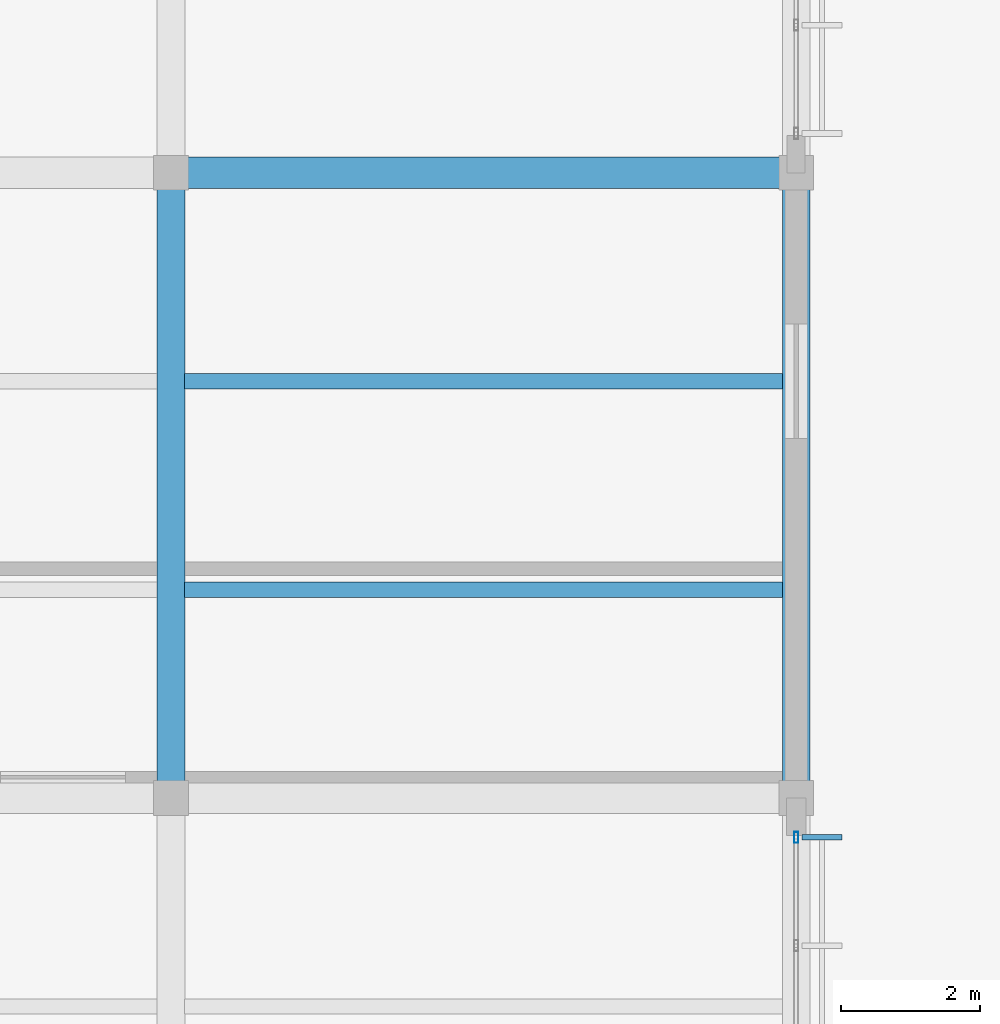
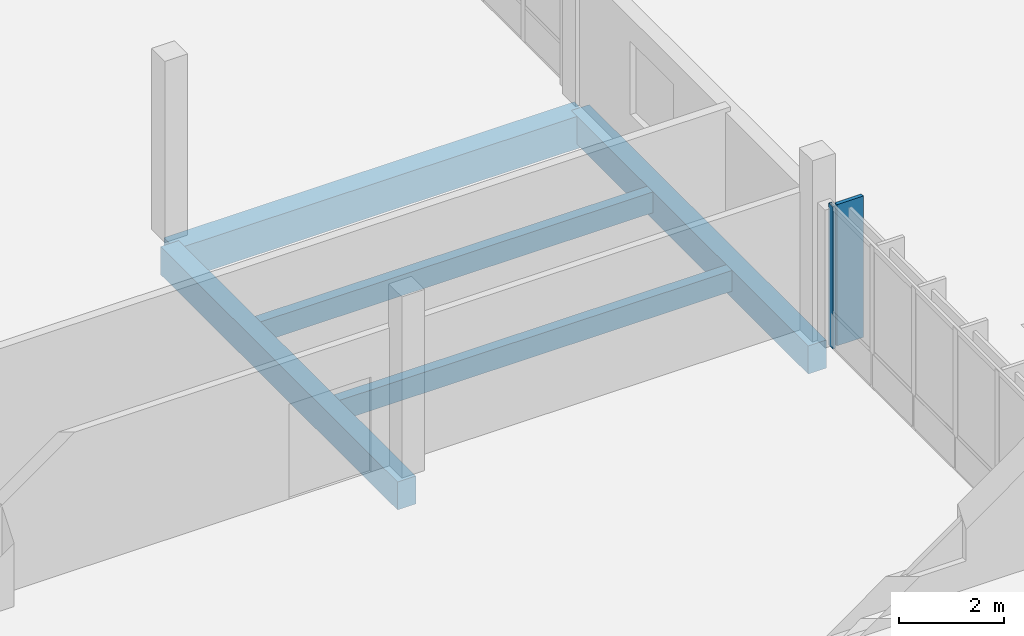
# One storey, part 60 of 107: 5 beams, 2 members, 1 element without a shape of its own.
"""IFC4 building model written with IfcOpenShell, lengths in metres."""

import ifcopenshell
import ifcopenshell.guid

model = None  # the IFC model being written
_history = None  # IfcOwnerHistory: only IFC2X3 demands one
_inside = {}  # id of a spatial element -> (the spatial element, [elements in it])
_under = {}  # id of a project, library or spatial element -> (it, [spatial elements below it])
_declared = {}  # id of a project -> (the project, [libraries it declares])
_typed = {}  # id of a type object -> (the type object, [elements of that type])
_made_of = {}  # id of a material, layer set ... -> (it, [elements and type objects made of it])


def new_model(schema):
    """Start an empty IFC model of exactly this schema.

    Asked for "IFC4X3", IfcOpenShell would pick the latest addendum, in which some entities
    have other attributes; the version numbers below select the first issue.
    IFC2X3 requires an IfcOwnerHistory on every rooted entity: one is made here for all.
    """
    global model, _history
    if schema == "IFC4X3":
        model = ifcopenshell.file(schema_version=(4, 3, 0, 0))
    else:
        model = ifcopenshell.file(schema=schema)
    _inside.clear()
    _under.clear()
    _declared.clear()
    _typed.clear()
    _made_of.clear()
    _history = None
    if model.schema == "IFC2X3":
        org = make("IfcOrganization", Name="unknown")
        user = make(
            "IfcPersonAndOrganization",
            ThePerson=make("IfcPerson", FamilyName="unknown"),
            TheOrganization=org,
        )
        app = make(
            "IfcApplication",
            ApplicationDeveloper=org,
            Version="unknown",
            ApplicationFullName="unknown",
            ApplicationIdentifier="unknown",
        )
        _history = make(
            "IfcOwnerHistory",
            OwningUser=user,
            OwningApplication=app,
            ChangeAction="ADDED",
            CreationDate=0,
        )
    return model


def make(cls, **values):
    """One entity of the class cls with the attributes given. An attribute that is None is left unset."""
    return model.create_entity(
        cls, **{name: value for name, value in values.items() if value is not None}
    )


def rooted(cls, **values):
    """An entity with a GlobalId (a new one), such as an element, a storey or a relation."""
    return make(cls, GlobalId=ifcopenshell.guid.new(), OwnerHistory=_history, **values)


def si_unit(unit_type, name, prefix=None):
    """IfcSIUnit, for example si_unit("LENGTHUNIT", "METRE", prefix="MILLI")."""
    return make("IfcSIUnit", UnitType=unit_type, Prefix=prefix, Name=name)


def assignment(units):
    """IfcUnitAssignment: the units of a project."""
    return None if units is None else make("IfcUnitAssignment", Units=units)


def point(xyz):
    """IfcCartesianPoint."""
    return None if xyz is None else make("IfcCartesianPoint", Coordinates=xyz)


def direction(xyz):
    """IfcDirection."""
    return None if xyz is None else make("IfcDirection", DirectionRatios=xyz)


def frame(location, z_axis=None, x_axis=None):
    """IfcAxis2Placement3D, a coordinate frame: its origin and axes. An axis left out is left unset."""
    return make(
        "IfcAxis2Placement3D",
        Location=point(location),
        Axis=direction(z_axis),
        RefDirection=direction(x_axis),
    )


def frame_2d(location, x_axis=None):
    """IfcAxis2Placement2D, a coordinate frame in the plane: its origin and x axis."""
    return make(
        "IfcAxis2Placement2D", Location=point(location), RefDirection=direction(x_axis)
    )


def origin():
    """The frame at (0, 0, 0) with its axes left unset."""
    return frame((0.0, 0.0, 0.0))


def origin_2d():
    """The frame at (0, 0) in the plane with its x axis left unset."""
    return frame_2d((0.0, 0.0))


def place(relative_to, where):
    """IfcLocalPlacement: puts the frame where relative to a parent placement (None: the world)."""
    return make(
        "IfcLocalPlacement", PlacementRelTo=relative_to, RelativePlacement=where
    )


def context(
    kind, dimensions, precision=None, world=None, true_north=None, identifier=None
):
    """IfcGeometricRepresentationContext, for example the 3D "Model" context."""
    return make(
        "IfcGeometricRepresentationContext",
        ContextIdentifier=identifier,
        ContextType=kind,
        CoordinateSpaceDimension=dimensions,
        Precision=precision,
        WorldCoordinateSystem=world,
        TrueNorth=true_north,
    )


def subcontext(parent, identifier, kind, view, scale=None):
    """IfcGeometricRepresentationSubContext, for example "Body" below "Model"."""
    return make(
        "IfcGeometricRepresentationSubContext",
        ContextIdentifier=identifier,
        ContextType=kind,
        ParentContext=parent,
        TargetScale=scale,
        TargetView=view,
    )


def project(units=None, contexts=None):
    """IfcProject with its units and contexts."""
    return rooted(
        "IfcProject",
        Name="project",
        RepresentationContexts=contexts,
        UnitsInContext=assignment(units),
    )


def spatial(cls, under=None, at=None, **own):
    """A site, building, storey or space (cls), placed at a placement, below another one or the project."""
    s = rooted(cls, ObjectPlacement=at, **own)
    if under is not None:
        _under.setdefault(under.id(), (under, []))[1].append(s)
    return s


def profile(cls, at=None, kind="AREA", **sizes):
    """A parametric profile (cls). Its sizes go by their IFC names, for example OverallWidth=200.0."""
    return make(cls, ProfileType=kind, Position=at, **sizes)


def rectangle(**sizes):
    """IfcRectangleProfileDef."""
    return profile("IfcRectangleProfileDef", **sizes)


def hollow_rectangle(**sizes):
    """IfcRectangleHollowProfileDef."""
    return profile("IfcRectangleHollowProfileDef", **sizes)


def extrude(swept, where, along, depth):
    """IfcExtrudedAreaSolid: the profile swept, set in the frame where, extruded along a direction by depth."""
    return make(
        "IfcExtrudedAreaSolid",
        SweptArea=swept,
        Position=where,
        ExtrudedDirection=direction(along),
        Depth=depth,
    )


def shape(context_of_items, identifier, shape_type, items):
    """IfcShapeRepresentation: the items that make up one representation, for example the "Body"."""
    return make(
        "IfcShapeRepresentation",
        ContextOfItems=context_of_items,
        RepresentationIdentifier=identifier,
        RepresentationType=shape_type,
        Items=items,
    )


def material(Name=None, Category=None):
    """IfcMaterial."""
    return make("IfcMaterial", Name=Name, Category=Category)


def material_profile(
    of_material, cross_section, Name=None, Category=None, Priority=None
):
    """IfcMaterialProfile: a cross section and its material."""
    return make(
        "IfcMaterialProfile",
        Name=Name,
        Material=of_material,
        Profile=cross_section,
        Priority=Priority,
        Category=Category,
    )


def profile_set(profiles, Name=None, composite=None):
    """IfcMaterialProfileSet."""
    return make(
        "IfcMaterialProfileSet",
        Name=Name,
        MaterialProfiles=profiles,
        CompositeProfile=composite,
    )


def made_of(thing, what):
    """Note that an element or type object is made of a material, layer set ...; save() writes the relation."""
    if what is not None:
        _made_of.setdefault(what.id(), (what, []))[1].append(thing)
    return thing


def type_object(cls, material=None, **own):
    """A type object (cls), such as IfcWallType, which elements share."""
    return made_of(rooted(cls, **own), material)


def element(
    cls,
    number,
    at=None,
    inside=None,
    cuts=None,
    type_object=None,
    material=None,
    context=None,
    identifier="Body",
    shape_type=None,
    held_by="IfcProductDefinitionShape",
    body=None,
    shapes=None,
    **own,
):
    """One element of the class cls, such as IfcWall. Its Tag is "e" and its number.

    at: its placement. inside: the storey or other place that contains it. cuts: it is an
    opening in that element (IfcRelVoidsElement). A single representation is given by context,
    identifier, shape_type and body (its items); several are given by shapes. held_by: the class
    of the entity that holds the representations. save() writes the other relations.
    """
    e = rooted(cls, Tag="e%d" % number, ObjectPlacement=at, **own)
    if body is not None:
        shapes = [shape(context, identifier, shape_type, body)]
    if shapes is not None:
        e.Representation = make(held_by, Representations=shapes)
    if inside is not None:
        _inside.setdefault(inside.id(), (inside, []))[1].append(e)
    if cuts is not None:
        rooted(
            "IfcRelVoidsElement", RelatingBuildingElement=cuts, RelatedOpeningElement=e
        )
    if type_object is not None:
        _typed.setdefault(type_object.id(), (type_object, []))[1].append(e)
    return made_of(e, material)


def aggregate(whole, parts):
    """IfcRelAggregates: a whole, such as a stair, and the parts it consists of."""
    return rooted("IfcRelAggregates", RelatingObject=whole, RelatedObjects=parts)


def save(model, path):
    """Write the relations noted so far, then the file.

    IfcRelAggregates (storeys below a building ...), IfcRelContainedInSpatialStructure (elements
    in a storey), IfcRelDefinesByType, IfcRelAssociatesMaterial and IfcRelDeclares: one each for
    every whole, place, type object, material and project.
    """
    for whole, parts in _under.values():
        aggregate(whole, parts)
    for where, things in _inside.values():
        rooted(
            "IfcRelContainedInSpatialStructure",
            RelatedElements=things,
            RelatingStructure=where,
        )
    for kind, things in _typed.values():
        rooted("IfcRelDefinesByType", RelatedObjects=things, RelatingType=kind)
    for what, things in _made_of.values():
        rooted("IfcRelAssociatesMaterial", RelatedObjects=things, RelatingMaterial=what)
    for by, libraries in _declared.values():
        rooted("IfcRelDeclares", RelatingContext=by, RelatedDefinitions=libraries)
    model.write(path)


model = new_model("IFC4")

# Units and contexts
model_context = context("Model", 3, precision=1e-05, world=origin(), true_north=direction((0.0, 1.0)))
body_context = subcontext(model_context, "Body", "Model", "MODEL_VIEW")
ifc_project = project(units=[si_unit("LENGTHUNIT", "METRE"), si_unit("AREAUNIT", "SQUARE_METRE"), si_unit("VOLUMEUNIT", "CUBIC_METRE"), si_unit("PLANEANGLEUNIT", "RADIAN"), si_unit("MASSUNIT", "GRAM", prefix="KILO")], contexts=[model_context])

# Site, building, storey
site_placement = place(None, origin())
site = spatial("IfcSite", under=ifc_project, at=site_placement, CompositionType="ELEMENT")
building_placement = place(site_placement, origin())
building = spatial("IfcBuilding", under=site, at=building_placement, Name="Chiffa Square Polytechnic", CompositionType="ELEMENT")
storey_placement = place(building_placement, frame((0.0, 0.0, 13.800048828125)))
storey = spatial("IfcBuildingStorey", under=building, at=storey_placement, Name="L03", CompositionType="ELEMENT", Elevation=13.800048828125)

# Beams
ifc_material_1 = material(Name="Concrete C35/45", Category="concrete")
ifc_material_profile_1 = material_profile(ifc_material_1, rectangle(XDim=0.39990234375, YDim=0.64990234375, at=origin_2d()), Name="RC 400x650")
ifc_profile_set_1 = profile_set([ifc_material_profile_1], Name="Concrete C35/45")
beam_type_1 = type_object("IfcBeamType", Name="BM-RC-400X650", PredefinedType="BEAM", material=ifc_profile_set_1)
for number, where, z_axis, x_axis, name in (
    (1, (130.199951171875, 112.800048828125, -0.5849609375), (0.0, 1.0, 0.0), (-1.0, 0.0, 0.0), "Primary floor girder BM-V5-L03-Y-1302-1128"),
    (2, (139.199951171875, 112.800048828125, -0.5849609375), (0.0, 1.0, 0.0), (-1.0, 0.0, 0.0), "Primary floor girder BM-V5-L03-Y-1392-1128"),
):
    element("IfcBeam", number, at=place(storey_placement, frame(where, z_axis=z_axis, x_axis=x_axis)), inside=storey, type_object=beam_type_1, Name=name, PredefinedType="BEAM", context=body_context, shape_type="SweptSolid", body=[
        extrude(rectangle(XDim=0.39990234375, YDim=0.64990234375, at=origin_2d()), origin(), (0.0, 0.0, 1.0), 9.0),
    ])
ifc_material_profile_2 = material_profile(ifc_material_1, rectangle(XDim=0.449951171875, YDim=0.75, at=origin_2d()), Name="RC 450x750")
ifc_profile_set_2 = profile_set([ifc_material_profile_2], Name="Concrete C35/45")
beam_type_2 = type_object("IfcBeamType", Name="BM-RC-450X750", PredefinedType="BEAM", material=ifc_profile_set_2)
beam_placement = place(storey_placement, frame((130.199951171875, 121.800048828125, -0.635009765625), z_axis=(1.0, 0.0, 0.0), x_axis=(0.0, 1.0, 0.0)))
element("IfcBeam", 3, at=beam_placement, inside=storey, type_object=beam_type_2, Name="Primary floor girder BM-V5-L03-X-1302-1218", PredefinedType="BEAM", context=body_context, shape_type="SweptSolid", body=[
    extrude(rectangle(XDim=0.449951171875, YDim=0.75, at=origin_2d()), origin(), (0.0, 0.0, 1.0), 9.0),
])

# Curtain wall, members
ifc_material_2 = material(Name="Aluminium EN AW-6060 T66 and glulam shading", Category="wood")
curtain_wall_type = type_object("IfcCurtainWallType", Name="CW-VERT-360X380", PredefinedType="USERDEFINED", material=ifc_material_2)
curtain_wall_placement = place(storey_placement, origin())
curtain_wall = element("IfcCurtainWall", 4, at=curtain_wall_placement, inside=storey, type_object=curtain_wall_type, Name="Curtain wall CW-V5-L03-229", ObjectType="CURTAIN WALL", PredefinedType="USERDEFINED")
ifc_material_3 = material(Name="Aluminium EN AW-6060 T66", Category="aluminium")
ifc_material_profile_3 = material_profile(ifc_material_3, hollow_rectangle(XDim=0.06005859375, YDim=0.159912109375, WallThickness=0.00390625, at=origin_2d()), Name="ALU 60x160x4")
ifc_profile_set_3 = profile_set([ifc_material_profile_3], Name="Aluminium EN AW-6060 T66")
member_type_1 = type_object("IfcMemberType", Name="CWM-ALU-65X150", PredefinedType="MULLION", material=ifc_profile_set_3)
member_1_placement = place(storey_placement, frame((139.199951171875, 112.235107421875, 0.0), z_axis=(0.0, 0.0, 1.0), x_axis=(1.0, 0.0, 0.0)))
member_1 = element("IfcMember", 5, at=member_1_placement, type_object=member_type_1, Name="Curtain wall mullion CW-V5-L03-229-M05", PredefinedType="MULLION", context=body_context, shape_type="SweptSolid", body=[
    extrude(hollow_rectangle(XDim=0.06005859375, YDim=0.159912109375, WallThickness=0.00390625, at=origin_2d()), origin(), (0.0, 0.0, 1.0), 3.294921875),
])
ifc_material_4 = material(Name="Glulam GL28h", Category="wood")
ifc_material_profile_4 = material_profile(ifc_material_4, rectangle(XDim=0.080078125, YDim=0.580078125, at=origin_2d()), Name="GL28h 80x580")
ifc_profile_set_4 = profile_set([ifc_material_profile_4], Name="Glulam GL28h")
member_type_2 = type_object("IfcMemberType", Name="CWM-GL-80X580", PredefinedType="MULLION", material=ifc_profile_set_4)
member_2_placement = place(storey_placement, frame((139.572021484375, 112.235107421875, 0.010009765625), z_axis=(0.0, 0.0, 1.0), x_axis=(0.0, 1.0, 0.0)))
member_2 = element("IfcMember", 6, at=member_2_placement, type_object=member_type_2, Name="Exterior glulam solar fin CW-V5-L03-229-FN05", PredefinedType="MULLION", context=body_context, shape_type="SweptSolid", body=[
    extrude(rectangle(XDim=0.080078125, YDim=0.580078125, at=origin_2d()), origin(), (0.0, 0.0, 1.0), 3.27490234375),
])
aggregate(curtain_wall, [member_1, member_2])

# Beams
ifc_material_profile_5 = material_profile(ifc_material_4, rectangle(XDim=0.219970703125, YDim=0.47998046875, at=origin_2d()), Name="GL28h 220x480")
ifc_profile_set_5 = profile_set([ifc_material_profile_5], Name="Glulam GL28h")
beam_type_3 = type_object("IfcBeamType", Name="JST-GL-220X480", PredefinedType="JOIST", material=ifc_profile_set_5)
for number, where, z_axis, x_axis, name in (
    (7, (130.39794921875, 115.800048828125, -0.5), (1.0, 0.0, 0.0), (0.0, 1.0, 0.0), "Secondary floor joist JST-V5-L03-1302-1158"),
    (8, (130.39794921875, 118.800048828125, -0.5), (1.0, 0.0, 0.0), (0.0, 1.0, 0.0), "Secondary floor joist JST-V5-L03-1302-1188"),
):
    element("IfcBeam", number, at=place(storey_placement, frame(where, z_axis=z_axis, x_axis=x_axis)), inside=storey, type_object=beam_type_3, Name=name, PredefinedType="JOIST", context=body_context, shape_type="SweptSolid", body=[
        extrude(rectangle(XDim=0.219970703125, YDim=0.47998046875, at=origin_2d()), origin(), (0.0, 0.0, 1.0), 8.60400390625),
    ])

save(model, "model.ifc")
